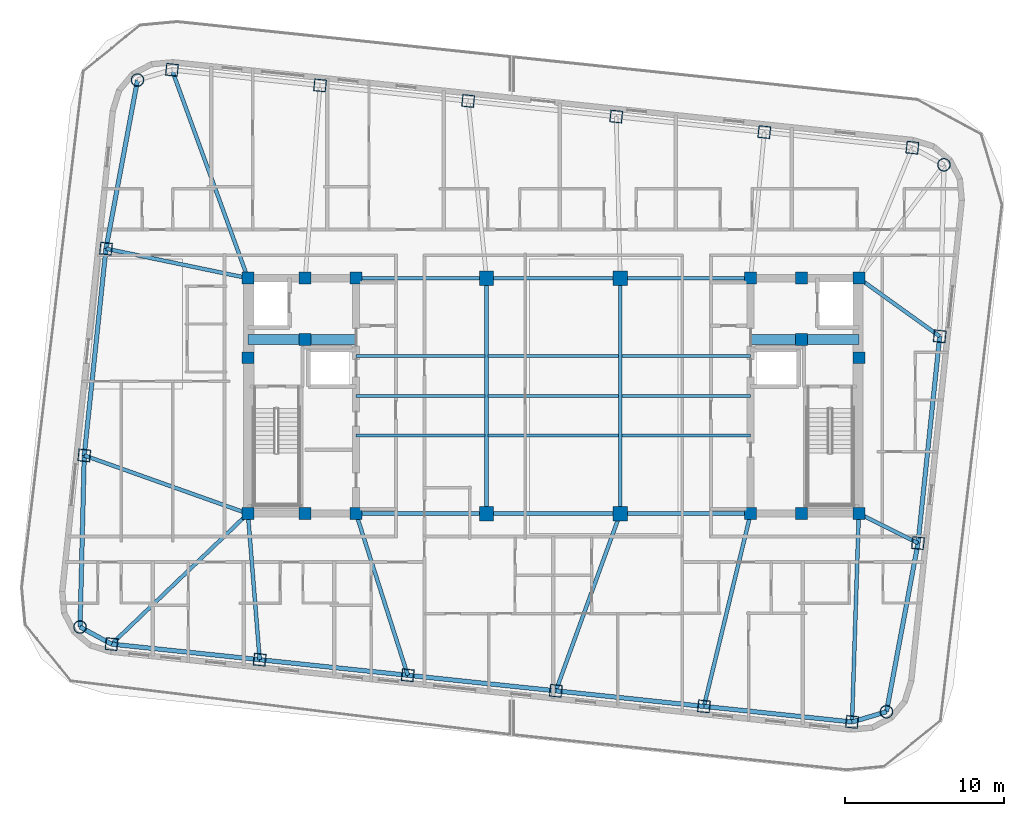
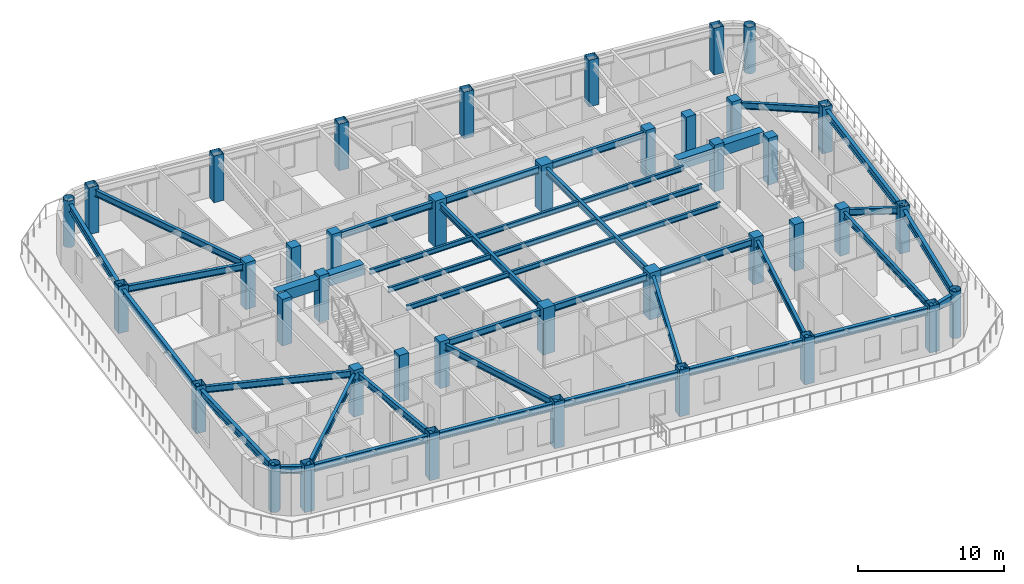
# One storey, part 1 of 14: 42 beams, 40 columns.
"""IFC4 building model written with IfcOpenShell, lengths in metres."""

from ifc_helpers import new_model, si_unit, direction, frame, origin, origin_2d, place, context, subcontext, project, spatial, rectangle, hollow_rectangle, hollow_circle, i_section, extrude, material, material_profile, profile_set, type_object, element, save


model = new_model("IFC4")

# Units and contexts
model_context = context("Model", 3, precision=1e-05, world=origin(), true_north=direction((0.0, 1.0)))
body_context = subcontext(model_context, "Body", "Model", "MODEL_VIEW")
ifc_project = project(units=[si_unit("LENGTHUNIT", "METRE"), si_unit("AREAUNIT", "SQUARE_METRE"), si_unit("VOLUMEUNIT", "CUBIC_METRE"), si_unit("PLANEANGLEUNIT", "RADIAN"), si_unit("MASSUNIT", "GRAM", prefix="KILO")], contexts=[model_context])

# Site, building, storey
site_placement = place(None, origin())
site = spatial("IfcSite", under=ifc_project, at=site_placement, CompositionType="ELEMENT")
building_placement = place(site_placement, origin())
building = spatial("IfcBuilding", under=site, at=building_placement, Name="Voryun Gate Residences", CompositionType="ELEMENT")
storey_placement = place(building_placement, frame((0.0, 0.0, 291.199951171875)))
storey = spatial("IfcBuildingStorey", under=building, at=storey_placement, Name="L72", CompositionType="ELEMENT", Elevation=291.199951171875)

# Columns
ifc_material_1 = material(Name="Concrete C50/60", Category="concrete")
ifc_material_profile_1 = material_profile(ifc_material_1, rectangle(XDim=0.75, YDim=0.75, at=origin_2d()), Name="RC-750x750")
ifc_profile_set_1 = profile_set([ifc_material_profile_1], Name="Concrete C50/60")
column_type_1 = type_object("IfcColumnType", Name="COL_CORE_750", PredefinedType="COLUMN", material=ifc_profile_set_1)
for number, where, z_axis, x_axis, name in (
    (1, (-19.199951171875, -7.39990234375, 0.0), (0.0, 0.0, 1.0), (1.0, 0.0, 0.0), "L72 Core boundary column WC-SW"),
    (2, (-19.199951171875, 2.39990234375, 0.0), (0.0, 0.0, 1.0), (1.0, 0.0, 0.0), "L72 Core boundary column WC-MW"),
    (3, (-19.199951171875, 7.39990234375, 0.0), (0.0, 0.0, 1.0), (1.0, 0.0, 0.0), "L72 Core boundary column WC-NW"),
    (4, (-15.60009765625, -7.39990234375, 0.0), (0.0, 0.0, 1.0), (1.0, 0.0, 0.0), "L72 Core boundary column WC-SM"),
    (5, (-15.60009765625, 7.39990234375, 0.0), (0.0, 0.0, 1.0), (1.0, 0.0, 0.0), "L72 Core boundary column WC-NM"),
    (6, (-12.39990234375, -7.39990234375, 0.0), (0.0, 0.0, 1.0), (1.0, 0.0, 0.0), "L72 Core boundary column WC-SE"),
    (7, (-15.60009765625, 3.550048828125, 0.0), (0.0, 0.0, 1.0), (1.0, 0.0, 0.0), "L72 Core boundary column WC-MM"),
    (8, (-12.39990234375, 7.39990234375, 0.0), (0.0, 0.0, 1.0), (1.0, 0.0, 0.0), "L72 Core boundary column WC-NE"),
    (9, (12.39990234375, -7.39990234375, 0.0), (0.0, 0.0, 1.0), (1.0, 0.0, 0.0), "L72 Core boundary column EC-SW"),
    (10, (15.60009765625, 3.550048828125, 0.0), (0.0, 0.0, 1.0), (1.0, 0.0, 0.0), "L72 Core boundary column EC-MM"),
    (11, (12.39990234375, 7.39990234375, 0.0), (0.0, 0.0, 1.0), (1.0, 0.0, 0.0), "L72 Core boundary column EC-NW"),
    (12, (15.60009765625, -7.39990234375, 0.0), (0.0, 0.0, 1.0), (1.0, 0.0, 0.0), "L72 Core boundary column EC-SM"),
    (13, (15.60009765625, 7.39990234375, 0.0), (0.0, 0.0, 1.0), (1.0, 0.0, 0.0), "L72 Core boundary column EC-NM"),
    (14, (19.199951171875, -7.39990234375, 0.0), (0.0, 0.0, 1.0), (1.0, 0.0, 0.0), "L72 Core boundary column EC-SE"),
    (15, (19.199951171875, 2.39990234375, 0.0), (0.0, 0.0, 1.0), (1.0, 0.0, 0.0), "L72 Core boundary column EC-ME"),
    (16, (19.199951171875, 7.39990234375, 0.0), (0.0, 0.0, 1.0), (1.0, 0.0, 0.0), "L72 Core boundary column EC-NE"),
):
    element("IfcColumn", number, at=place(storey_placement, frame(where, z_axis=z_axis, x_axis=x_axis)), inside=storey, type_object=column_type_1, Name=name, PredefinedType="COLUMN", context=body_context, shape_type="SweptSolid", body=[
        extrude(rectangle(XDim=0.75, YDim=0.75, at=origin_2d()), origin(), (0.0, 0.0, 1.0), 3.900146484375),
    ])
ifc_material_2 = material(Name="Concrete C50/60", Category="concrete")
ifc_material_profile_2 = material_profile(ifc_material_2, rectangle(XDim=0.89990234375, YDim=0.89990234375, at=origin_2d()), Name="RC-900x900")
ifc_profile_set_2 = profile_set([ifc_material_profile_2], Name="Concrete C50/60")
column_type_2 = type_object("IfcColumnType", Name="COL_CORE_900", PredefinedType="COLUMN", material=ifc_profile_set_2)
for number, where, z_axis, x_axis, name in (
    (17, (-4.199951171875, -7.39990234375, 0.0), (0.0, 0.0, 1.0), (1.0, 0.0, 0.0), "L72 Interior spine column SP-WS"),
    (18, (-4.199951171875, 7.39990234375, 0.0), (0.0, 0.0, 1.0), (1.0, 0.0, 0.0), "L72 Interior spine column SP-WN"),
    (19, (4.199951171875, -7.39990234375, 0.0), (0.0, 0.0, 1.0), (1.0, 0.0, 0.0), "L72 Interior spine column SP-ES"),
    (20, (4.199951171875, 7.39990234375, 0.0), (0.0, 0.0, 1.0), (1.0, 0.0, 0.0), "L72 Interior spine column SP-EN"),
):
    element("IfcColumn", number, at=place(storey_placement, frame(where, z_axis=z_axis, x_axis=x_axis)), inside=storey, type_object=column_type_2, Name=name, PredefinedType="COLUMN", context=body_context, shape_type="SweptSolid", body=[
        extrude(rectangle(XDim=0.89990234375, YDim=0.89990234375, at=origin_2d()), origin(), (0.0, 0.0, 1.0), 3.900146484375),
    ])
ifc_material_3 = material(Name="Steel SM355", Category="steel")
ifc_material_profile_3 = material_profile(ifc_material_3, hollow_circle(Radius=0.39990234375, WallThickness=0.028076171875, at=origin_2d()), Name="CHS-800x28")
ifc_profile_set_3 = profile_set([ifc_material_profile_3], Name="Steel SM355")
column_type_3 = type_object("IfcColumnType", Name="COL_CRN_800", PredefinedType="COLUMN", material=ifc_profile_set_3)
for number, where, z_axis, x_axis, name in (
    (21, (20.939453125, -19.855224609375, 0.0), (0.0, 0.0, 1.0), (0.994521895368, -0.104528463268, 0.0), "L72 Exoskeleton column CSE"),
    (22, (24.55322265625, 14.52734375, 0.0), (0.0, 0.0, 1.0), (0.994521895368, -0.104528463268, 0.0), "L72 Exoskeleton column CNE"),
    (23, (-26.139404296875, 19.855224609375, 0.0), (0.0, 0.0, 1.0), (0.994521895368, -0.104528463268, 0.0), "L72 Exoskeleton column CNW"),
    (24, (-29.753173828125, -14.52734375, 0.0), (0.0, 0.0, 1.0), (0.994521895368, -0.104528463268, 0.0), "L72 Exoskeleton column CSW"),
):
    element("IfcColumn", number, at=place(storey_placement, frame(where, z_axis=z_axis, x_axis=x_axis)), inside=storey, type_object=column_type_3, Name=name, PredefinedType="COLUMN", context=body_context, shape_type="SweptSolid", body=[
        extrude(hollow_circle(Radius=0.39990234375, WallThickness=0.028076171875, at=origin_2d()), origin(), (0.0, 0.0, 1.0), 3.900146484375),
    ])
ifc_material_4 = material(Name="Steel SM355", Category="steel")
ifc_material_profile_4 = material_profile(ifc_material_4, hollow_rectangle(XDim=0.75, YDim=0.75, WallThickness=0.02490234375, at=origin_2d()), Name="BOX-750x750x25")
ifc_profile_set_4 = profile_set([ifc_material_profile_4], Name="Steel SM355")
column_type_4 = type_object("IfcColumnType", Name="COL_EXO_B5", PredefinedType="COLUMN", material=ifc_profile_set_4)
for number, where, z_axis, x_axis, name in (
    (25, (-27.76904296875, -15.6044921875, 0.0), (0.0, 0.0, 1.0), (0.994521895368, -0.104528463268, 0.0), "L72 Exoskeleton column S1"),
    (26, (-18.460205078125, -16.5830078125, 0.0), (0.0, 0.0, 1.0), (0.994521895368, -0.104528463268, 0.0), "L72 Exoskeleton column S2"),
    (27, (-9.151611328125, -17.561279296875, 0.0), (0.0, 0.0, 1.0), (0.994521895368, -0.104528463268, 0.0), "L72 Exoskeleton column S3"),
    (28, (0.1572265625, -18.539794921875, 0.0), (0.0, 0.0, 1.0), (0.994521895368, -0.104528463268, 0.0), "L72 Exoskeleton column S4"),
    (29, (9.4658203125, -19.51806640625, 0.0), (0.0, 0.0, 1.0), (0.994521895368, -0.104528463268, 0.0), "L72 Exoskeleton column S5"),
    (30, (18.774658203125, -20.49658203125, 0.0), (0.0, 0.0, 1.0), (0.994521895368, -0.104528463268, 0.0), "L72 Exoskeleton column S6"),
    (31, (22.922607421875, -9.25244140625, 0.0), (0.0, 0.0, 1.0), (0.994521895368, -0.104528463268, 0.0), "L72 Exoskeleton column E1"),
    (32, (24.28857421875, 3.743896484375, 0.0), (0.0, 0.0, 1.0), (0.994521895368, -0.104528463268, 0.0), "L72 Exoskeleton column E2"),
    (33, (22.569091796875, 15.6044921875, 0.0), (0.0, 0.0, 1.0), (0.994521895368, -0.104528463268, 0.0), "L72 Exoskeleton column N1"),
    (34, (13.26025390625, 16.5830078125, 0.0), (0.0, 0.0, 1.0), (0.994521895368, -0.104528463268, 0.0), "L72 Exoskeleton column N2"),
    (35, (3.95166015625, 17.561279296875, 0.0), (0.0, 0.0, 1.0), (0.994521895368, -0.104528463268, 0.0), "L72 Exoskeleton column N3"),
    (36, (-5.357177734375, 18.539794921875, 0.0), (0.0, 0.0, 1.0), (0.994521895368, -0.104528463268, 0.0), "L72 Exoskeleton column N4"),
    (37, (-14.666015625, 19.51806640625, 0.0), (0.0, 0.0, 1.0), (0.994521895368, -0.104528463268, 0.0), "L72 Exoskeleton column N5"),
    (38, (-23.974609375, 20.49658203125, 0.0), (0.0, 0.0, 1.0), (0.994521895368, -0.104528463268, 0.0), "L72 Exoskeleton column N6"),
    (39, (-28.12255859375, 9.25244140625, 0.0), (0.0, 0.0, 1.0), (0.994521895368, -0.104528463268, 0.0), "L72 Exoskeleton column W1"),
    (40, (-29.488525390625, -3.743896484375, 0.0), (0.0, 0.0, 1.0), (0.994521895368, -0.104528463268, 0.0), "L72 Exoskeleton column W2"),
):
    element("IfcColumn", number, at=place(storey_placement, frame(where, z_axis=z_axis, x_axis=x_axis)), inside=storey, type_object=column_type_4, Name=name, PredefinedType="COLUMN", context=body_context, shape_type="SweptSolid", body=[
        extrude(hollow_rectangle(XDim=0.75, YDim=0.75, WallThickness=0.02490234375, at=origin_2d()), origin(), (0.0, 0.0, 1.0), 3.900146484375),
    ])

# Beams
ifc_material_5 = material(Name="Concrete C60/75", Category="concrete")
ifc_material_profile_5 = material_profile(ifc_material_5, rectangle(XDim=0.64990234375, YDim=0.89990234375, at=origin_2d()), Name="RC-650x900")
ifc_profile_set_5 = profile_set([ifc_material_profile_5], Name="Concrete C60/75")
beam_type_1 = type_object("IfcBeamType", Name="BM_COUP_RC900", PredefinedType="LINTEL", material=ifc_profile_set_5)
for number, where, z_axis, x_axis, name in (
    (41, (-19.199951171875, 3.550048828125, 3.18505859375), (1.0, 0.0, 0.0), (0.0, 1.0, 0.0), "BM-L72-WC1"),
    (42, (12.39990234375, 3.550048828125, 3.18505859375), (1.0, 0.0, 0.0), (0.0, 1.0, 0.0), "BM-L72-EC1"),
):
    element("IfcBeam", number, at=place(storey_placement, frame(where, z_axis=z_axis, x_axis=x_axis)), inside=storey, type_object=beam_type_1, Name=name, PredefinedType="LINTEL", context=body_context, shape_type="SweptSolid", body=[
        extrude(rectangle(XDim=0.64990234375, YDim=0.89990234375, at=origin_2d()), origin(), (0.0, 0.0, 1.0), 6.800048828125),
    ])
ifc_material_6 = material(Name="Steel SM355", Category="steel")
ifc_material_profile_6 = material_profile(ifc_material_6, i_section(OverallWidth=0.280029296875, OverallDepth=0.6201171875, WebThickness=0.013916015625, FlangeThickness=0.02197265625, FilletRadius=0.01806640625, at=origin_2d()), Name="H-620x280x14x22")
ifc_profile_set_6 = profile_set([ifc_material_profile_6], Name="Steel SM355")
beam_type_2 = type_object("IfcBeamType", Name="BM_EXO_SPANDREL_H", PredefinedType="SPANDREL", material=ifc_profile_set_6)
beam_1_placement = place(storey_placement, frame((-27.76904296875, -15.6044921875, 3.324951171875), z_axis=(0.994520592114, -0.104540862157, 0.0), x_axis=(0.104540862157, 0.994520592114, 0.0)))
element("IfcBeam", 43, at=beam_1_placement, inside=storey, type_object=beam_type_2, Name="BM-L72-SPAND-01", PredefinedType="SPANDREL", context=body_context, shape_type="SweptSolid", body=[
    extrude(i_section(OverallWidth=0.280029296875, OverallDepth=0.6201171875, WebThickness=0.013916015625, FlangeThickness=0.02197265625, FilletRadius=0.01806640625, at=origin_2d()), origin(), (0.0, 0.0, 1.0), 9.360107421875),
])
beam_2_placement = place(storey_placement, frame((-18.460205078125, -16.5830078125, 3.324951171875), z_axis=(0.994523018663, -0.104517775278, 0.0), x_axis=(0.104517775278, 0.994523018663, 0.0)))
element("IfcBeam", 44, at=beam_2_placement, inside=storey, type_object=beam_type_2, Name="BM-L72-SPAND-02", PredefinedType="SPANDREL", context=body_context, shape_type="SweptSolid", body=[
    extrude(i_section(OverallWidth=0.280029296875, OverallDepth=0.6201171875, WebThickness=0.013916015625, FlangeThickness=0.02197265625, FilletRadius=0.01806640625, at=origin_2d()), origin(), (0.0, 0.0, 1.0), 9.35986328125),
])
beam_3_placement = place(storey_placement, frame((-9.151611328125, -17.561279296875, 3.324951171875), z_axis=(0.994520592114, -0.104540862157, 0.0), x_axis=(0.104540862157, 0.994520592114, 0.0)))
element("IfcBeam", 45, at=beam_3_placement, inside=storey, type_object=beam_type_2, Name="BM-L72-SPAND-03", PredefinedType="SPANDREL", context=body_context, shape_type="SweptSolid", body=[
    extrude(i_section(OverallWidth=0.280029296875, OverallDepth=0.6201171875, WebThickness=0.013916015625, FlangeThickness=0.02197265625, FilletRadius=0.01806640625, at=origin_2d()), origin(), (0.0, 0.0, 1.0), 9.360107421875),
])
beam_4_placement = place(storey_placement, frame((0.1572265625, -18.539794921875, 3.324951171875), z_axis=(0.994523018663, -0.104517775278, 0.0), x_axis=(0.104517775278, 0.994523018663, 0.0)))
element("IfcBeam", 46, at=beam_4_placement, inside=storey, type_object=beam_type_2, Name="BM-L72-SPAND-04", PredefinedType="SPANDREL", context=body_context, shape_type="SweptSolid", body=[
    extrude(i_section(OverallWidth=0.280029296875, OverallDepth=0.6201171875, WebThickness=0.013916015625, FlangeThickness=0.02197265625, FilletRadius=0.01806640625, at=origin_2d()), origin(), (0.0, 0.0, 1.0), 9.35986328125),
])
beam_5_placement = place(storey_placement, frame((9.4658203125, -19.51806640625, 3.324951171875), z_axis=(0.994520592114, -0.104540862157, 0.0), x_axis=(0.104540862157, 0.994520592114, 0.0)))
element("IfcBeam", 47, at=beam_5_placement, inside=storey, type_object=beam_type_2, Name="BM-L72-SPAND-05", PredefinedType="SPANDREL", context=body_context, shape_type="SweptSolid", body=[
    extrude(i_section(OverallWidth=0.280029296875, OverallDepth=0.6201171875, WebThickness=0.013916015625, FlangeThickness=0.02197265625, FilletRadius=0.01806640625, at=origin_2d()), origin(), (0.0, 0.0, 1.0), 9.360107421875),
])
beam_6_placement = place(storey_placement, frame((18.774658203125, -20.49658203125, 3.324951171875), z_axis=(0.958805748412, 0.28406255792, 0.0), x_axis=(-0.28406255792, 0.958805748412, 0.0)))
element("IfcBeam", 48, at=beam_6_placement, inside=storey, type_object=beam_type_2, Name="BM-L72-SPAND-06", PredefinedType="SPANDREL", context=body_context, shape_type="SweptSolid", body=[
    extrude(i_section(OverallWidth=0.280029296875, OverallDepth=0.6201171875, WebThickness=0.013916015625, FlangeThickness=0.02197265625, FilletRadius=0.01806640625, at=origin_2d()), origin(), (0.0, 0.0, 1.0), 2.2578125),
])
beam_7_placement = place(storey_placement, frame((20.939453125, -19.855224609375, 3.324951171875), z_axis=(0.183852585596, 0.982953827384, 0.0), x_axis=(-0.982953827384, 0.183852585596, 0.0)))
element("IfcBeam", 49, at=beam_7_placement, inside=storey, type_object=beam_type_2, Name="BM-L72-SPAND-07", PredefinedType="SPANDREL", context=body_context, shape_type="SweptSolid", body=[
    extrude(i_section(OverallWidth=0.280029296875, OverallDepth=0.6201171875, WebThickness=0.013916015625, FlangeThickness=0.02197265625, FilletRadius=0.01806640625, at=origin_2d()), origin(), (0.0, 0.0, 1.0), 10.78662109375),
])
beam_8_placement = place(storey_placement, frame((22.922607421875, -9.25244140625, 3.324951171875), z_axis=(0.104528209082, 0.994521922084, 0.0), x_axis=(-0.994521922084, 0.104528209082, 0.0)))
element("IfcBeam", 50, at=beam_8_placement, inside=storey, type_object=beam_type_2, Name="BM-L72-SPAND-08", PredefinedType="SPANDREL", context=body_context, shape_type="SweptSolid", body=[
    extrude(i_section(OverallWidth=0.280029296875, OverallDepth=0.6201171875, WebThickness=0.013916015625, FlangeThickness=0.02197265625, FilletRadius=0.01806640625, at=origin_2d()), origin(), (0.0, 0.0, 1.0), 13.06787109375),
])
beam_9_placement = place(storey_placement, frame((-26.139404296875, 19.855224609375, 3.324951171875), z_axis=(-0.183852585596, -0.982953827384, 0.0), x_axis=(0.982953827384, -0.183852585596, 0.0)))
element("IfcBeam", 51, at=beam_9_placement, inside=storey, type_object=beam_type_2, Name="BM-L72-SPAND-17", PredefinedType="SPANDREL", context=body_context, shape_type="SweptSolid", body=[
    extrude(i_section(OverallWidth=0.280029296875, OverallDepth=0.6201171875, WebThickness=0.013916015625, FlangeThickness=0.02197265625, FilletRadius=0.01806640625, at=origin_2d()), origin(), (0.0, 0.0, 1.0), 10.78662109375),
])
beam_10_placement = place(storey_placement, frame((-28.12255859375, 9.25244140625, 3.324951171875), z_axis=(-0.104528209082, -0.994521922084, 0.0), x_axis=(0.994521922084, -0.104528209082, 0.0)))
element("IfcBeam", 52, at=beam_10_placement, inside=storey, type_object=beam_type_2, Name="BM-L72-SPAND-18", PredefinedType="SPANDREL", context=body_context, shape_type="SweptSolid", body=[
    extrude(i_section(OverallWidth=0.280029296875, OverallDepth=0.6201171875, WebThickness=0.013916015625, FlangeThickness=0.02197265625, FilletRadius=0.01806640625, at=origin_2d()), origin(), (0.0, 0.0, 1.0), 13.06787109375),
])
beam_11_placement = place(storey_placement, frame((-29.488525390625, -3.743896484375, 3.324951171875), z_axis=(-0.024534711967, -0.999698978647, 0.0), x_axis=(0.999698978647, -0.024534711967, 0.0)))
element("IfcBeam", 53, at=beam_11_placement, inside=storey, type_object=beam_type_2, Name="BM-L72-SPAND-19", PredefinedType="SPANDREL", context=body_context, shape_type="SweptSolid", body=[
    extrude(i_section(OverallWidth=0.280029296875, OverallDepth=0.6201171875, WebThickness=0.013916015625, FlangeThickness=0.02197265625, FilletRadius=0.01806640625, at=origin_2d()), origin(), (0.0, 0.0, 1.0), 10.78662109375),
])
beam_12_placement = place(storey_placement, frame((-29.753173828125, -14.52734375, 3.324951171875), z_axis=(0.878844363117, -0.477108567746, 0.0), x_axis=(0.477108567746, 0.878844363117, 0.0)))
element("IfcBeam", 54, at=beam_12_placement, inside=storey, type_object=beam_type_2, Name="BM-L72-SPAND-20", PredefinedType="SPANDREL", context=body_context, shape_type="SweptSolid", body=[
    extrude(i_section(OverallWidth=0.280029296875, OverallDepth=0.6201171875, WebThickness=0.013916015625, FlangeThickness=0.02197265625, FilletRadius=0.01806640625, at=origin_2d()), origin(), (0.0, 0.0, 1.0), 2.257568359375),
])
ifc_material_7 = material(Name="Steel SM355", Category="steel")
ifc_material_profile_7 = material_profile(ifc_material_7, i_section(OverallWidth=0.239990234375, OverallDepth=0.550048828125, WebThickness=0.011962890625, FlangeThickness=0.02001953125, FilletRadius=0.01806640625, at=origin_2d()), Name="H-550x240x12x20")
ifc_profile_set_7 = profile_set([ifc_material_profile_7], Name="Steel SM355")
beam_type_3 = type_object("IfcBeamType", Name="BM_GIRD_550", PredefinedType="USERDEFINED", material=ifc_profile_set_7)
beam_13_placement = place(storey_placement, frame((-12.39990234375, -7.39990234375, 3.360107421875), z_axis=(1.0, 0.0, 0.0), x_axis=(0.0, 1.0, 0.0)))
element("IfcBeam", 55, at=beam_13_placement, inside=storey, type_object=beam_type_3, Name="BM-L72-SPG1-S", ObjectType="GIRDER", PredefinedType="USERDEFINED", context=body_context, shape_type="SweptSolid", body=[
    extrude(i_section(OverallWidth=0.239990234375, OverallDepth=0.550048828125, WebThickness=0.011962890625, FlangeThickness=0.02001953125, FilletRadius=0.01806640625, at=origin_2d()), origin(), (0.0, 0.0, 1.0), 8.199951171875),
])
beam_14_placement = place(storey_placement, frame((-4.199951171875, -7.39990234375, 3.360107421875), z_axis=(1.0, 0.0, 0.0), x_axis=(0.0, 1.0, 0.0)))
element("IfcBeam", 56, at=beam_14_placement, inside=storey, type_object=beam_type_3, Name="BM-L72-SPG2-S", ObjectType="GIRDER", PredefinedType="USERDEFINED", context=body_context, shape_type="SweptSolid", body=[
    extrude(i_section(OverallWidth=0.239990234375, OverallDepth=0.550048828125, WebThickness=0.011962890625, FlangeThickness=0.02001953125, FilletRadius=0.01806640625, at=origin_2d()), origin(), (0.0, 0.0, 1.0), 8.39990234375),
])
for number, where, z_axis, x_axis, name in (
    (57, (4.199951171875, -7.39990234375, 3.360107421875), (1.0, 0.0, 0.0), (0.0, 1.0, 0.0), "BM-L72-SPG3-S"),
    (58, (-12.39990234375, 7.39990234375, 3.360107421875), (1.0, 0.0, 0.0), (0.0, 1.0, 0.0), "BM-L72-SPG1-N"),
):
    element("IfcBeam", number, at=place(storey_placement, frame(where, z_axis=z_axis, x_axis=x_axis)), inside=storey, type_object=beam_type_3, Name=name, ObjectType="GIRDER", PredefinedType="USERDEFINED", context=body_context, shape_type="SweptSolid", body=[
        extrude(i_section(OverallWidth=0.239990234375, OverallDepth=0.550048828125, WebThickness=0.011962890625, FlangeThickness=0.02001953125, FilletRadius=0.01806640625, at=origin_2d()), origin(), (0.0, 0.0, 1.0), 8.199951171875),
    ])
beam_15_placement = place(storey_placement, frame((-4.199951171875, 7.39990234375, 3.360107421875), z_axis=(1.0, 0.0, 0.0), x_axis=(0.0, 1.0, 0.0)))
element("IfcBeam", 59, at=beam_15_placement, inside=storey, type_object=beam_type_3, Name="BM-L72-SPG2-N", ObjectType="GIRDER", PredefinedType="USERDEFINED", context=body_context, shape_type="SweptSolid", body=[
    extrude(i_section(OverallWidth=0.239990234375, OverallDepth=0.550048828125, WebThickness=0.011962890625, FlangeThickness=0.02001953125, FilletRadius=0.01806640625, at=origin_2d()), origin(), (0.0, 0.0, 1.0), 8.39990234375),
])
beam_16_placement = place(storey_placement, frame((4.199951171875, 7.39990234375, 3.360107421875), z_axis=(1.0, 0.0, 0.0), x_axis=(0.0, 1.0, 0.0)))
element("IfcBeam", 60, at=beam_16_placement, inside=storey, type_object=beam_type_3, Name="BM-L72-SPG3-N", ObjectType="GIRDER", PredefinedType="USERDEFINED", context=body_context, shape_type="SweptSolid", body=[
    extrude(i_section(OverallWidth=0.239990234375, OverallDepth=0.550048828125, WebThickness=0.011962890625, FlangeThickness=0.02001953125, FilletRadius=0.01806640625, at=origin_2d()), origin(), (0.0, 0.0, 1.0), 8.199951171875),
])
for number, where, z_axis, x_axis, name in (
    (61, (-4.199951171875, -7.39990234375, 3.360107421875), (0.0, 1.0, 0.0), (-1.0, 0.0, 0.0), "BM-L72-SPX-W"),
    (62, (4.199951171875, -7.39990234375, 3.360107421875), (0.0, 1.0, 0.0), (-1.0, 0.0, 0.0), "BM-L72-SPX-E"),
):
    element("IfcBeam", number, at=place(storey_placement, frame(where, z_axis=z_axis, x_axis=x_axis)), inside=storey, type_object=beam_type_3, Name=name, ObjectType="GIRDER", PredefinedType="USERDEFINED", context=body_context, shape_type="SweptSolid", body=[
        extrude(i_section(OverallWidth=0.239990234375, OverallDepth=0.550048828125, WebThickness=0.011962890625, FlangeThickness=0.02001953125, FilletRadius=0.01806640625, at=origin_2d()), origin(), (0.0, 0.0, 1.0), 14.7998046875),
    ])
beam_17_placement = place(storey_placement, frame((-19.199951171875, -7.39990234375, 3.360107421875), z_axis=(-0.722302104769, -0.691577666966, 0.0), x_axis=(0.691577666966, -0.722302104769, 0.0)))
element("IfcBeam", 63, at=beam_17_placement, inside=storey, type_object=beam_type_3, Name="BM-L72-RAD-S1", ObjectType="GIRDER", PredefinedType="USERDEFINED", context=body_context, shape_type="SweptSolid", body=[
    extrude(i_section(OverallWidth=0.239990234375, OverallDepth=0.550048828125, WebThickness=0.011962890625, FlangeThickness=0.02001953125, FilletRadius=0.01806640625, at=origin_2d()), origin(), (0.0, 0.0, 1.0), 11.863525390625),
])
beam_18_placement = place(storey_placement, frame((-19.199951171875, -7.39990234375, 3.360107421875), z_axis=(0.080295011504, -0.996771142804, 0.0), x_axis=(0.996771142804, 0.080295011504, 0.0)))
element("IfcBeam", 64, at=beam_18_placement, inside=storey, type_object=beam_type_3, Name="BM-L72-RAD-S2", ObjectType="GIRDER", PredefinedType="USERDEFINED", context=body_context, shape_type="SweptSolid", body=[
    extrude(i_section(OverallWidth=0.239990234375, OverallDepth=0.550048828125, WebThickness=0.011962890625, FlangeThickness=0.02001953125, FilletRadius=0.01806640625, at=origin_2d()), origin(), (0.0, 0.0, 1.0), 9.212890625),
])
beam_19_placement = place(storey_placement, frame((-12.39990234375, -7.39990234375, 3.360107421875), z_axis=(0.30449089095, -0.952515247819, 0.0), x_axis=(0.952515247819, 0.30449089095, 0.0)))
element("IfcBeam", 65, at=beam_19_placement, inside=storey, type_object=beam_type_3, Name="BM-L72-RAD-S3", ObjectType="GIRDER", PredefinedType="USERDEFINED", context=body_context, shape_type="SweptSolid", body=[
    extrude(i_section(OverallWidth=0.239990234375, OverallDepth=0.550048828125, WebThickness=0.011962890625, FlangeThickness=0.02001953125, FilletRadius=0.01806640625, at=origin_2d()), origin(), (0.0, 0.0, 1.0), 10.66796875),
])
beam_20_placement = place(storey_placement, frame((4.199951171875, -7.39990234375, 3.360107421875), z_axis=(-0.341135931896, -0.940013976476, 0.0), x_axis=(0.940013976476, -0.341135931896, 0.0)))
element("IfcBeam", 66, at=beam_20_placement, inside=storey, type_object=beam_type_3, Name="BM-L72-RAD-S4", ObjectType="GIRDER", PredefinedType="USERDEFINED", context=body_context, shape_type="SweptSolid", body=[
    extrude(i_section(OverallWidth=0.239990234375, OverallDepth=0.550048828125, WebThickness=0.011962890625, FlangeThickness=0.02001953125, FilletRadius=0.01806640625, at=origin_2d()), origin(), (0.0, 0.0, 1.0), 11.850830078125),
])
beam_21_placement = place(storey_placement, frame((12.39990234375, -7.39990234375, 3.360107421875), z_axis=(-0.235323166357, -0.971917181336, 0.0), x_axis=(0.971917181336, -0.235323166357, 0.0)))
element("IfcBeam", 67, at=beam_21_placement, inside=storey, type_object=beam_type_3, Name="BM-L72-RAD-S5", ObjectType="GIRDER", PredefinedType="USERDEFINED", context=body_context, shape_type="SweptSolid", body=[
    extrude(i_section(OverallWidth=0.239990234375, OverallDepth=0.550048828125, WebThickness=0.011962890625, FlangeThickness=0.02001953125, FilletRadius=0.01806640625, at=origin_2d()), origin(), (0.0, 0.0, 1.0), 12.46826171875),
])
beam_22_placement = place(storey_placement, frame((19.199951171875, -7.39990234375, 3.360107421875), z_axis=(-0.032456234446, -0.999473157641, 0.0), x_axis=(0.999473157641, -0.032456234446, 0.0)))
element("IfcBeam", 68, at=beam_22_placement, inside=storey, type_object=beam_type_3, Name="BM-L72-RAD-S6", ObjectType="GIRDER", PredefinedType="USERDEFINED", context=body_context, shape_type="SweptSolid", body=[
    extrude(i_section(OverallWidth=0.239990234375, OverallDepth=0.550048828125, WebThickness=0.011962890625, FlangeThickness=0.02001953125, FilletRadius=0.01806640625, at=origin_2d()), origin(), (0.0, 0.0, 1.0), 13.103515625),
])
beam_23_placement = place(storey_placement, frame((19.199951171875, -7.39990234375, 3.360107421875), z_axis=(0.895271074172, -0.445521833081, 0.0), x_axis=(0.445521833081, 0.895271074172, 0.0)))
element("IfcBeam", 69, at=beam_23_placement, inside=storey, type_object=beam_type_3, Name="BM-L72-RAD-E1", ObjectType="GIRDER", PredefinedType="USERDEFINED", context=body_context, shape_type="SweptSolid", body=[
    extrude(i_section(OverallWidth=0.239990234375, OverallDepth=0.550048828125, WebThickness=0.011962890625, FlangeThickness=0.02001953125, FilletRadius=0.01806640625, at=origin_2d()), origin(), (0.0, 0.0, 1.0), 4.158203125),
])
beam_24_placement = place(storey_placement, frame((19.199951171875, 7.39990234375, 3.360107421875), z_axis=(0.81212442094, -0.583484297058, 0.0), x_axis=(0.583484297058, 0.81212442094, 0.0)))
element("IfcBeam", 70, at=beam_24_placement, inside=storey, type_object=beam_type_3, Name="BM-L72-RAD-E2", ObjectType="GIRDER", PredefinedType="USERDEFINED", context=body_context, shape_type="SweptSolid", body=[
    extrude(i_section(OverallWidth=0.239990234375, OverallDepth=0.550048828125, WebThickness=0.011962890625, FlangeThickness=0.02001953125, FilletRadius=0.01806640625, at=origin_2d()), origin(), (0.0, 0.0, 1.0), 6.265869140625),
])
beam_25_placement = place(storey_placement, frame((-19.199951171875, 7.39990234375, 3.360107421875), z_axis=(-0.342517773666, 0.939511348906, 0.0), x_axis=(-0.939511348906, -0.342517773666, 0.0)))
element("IfcBeam", 71, at=beam_25_placement, inside=storey, type_object=beam_type_3, Name="BM-L72-RAD-N6", ObjectType="GIRDER", PredefinedType="USERDEFINED", context=body_context, shape_type="SweptSolid", body=[
    extrude(i_section(OverallWidth=0.239990234375, OverallDepth=0.550048828125, WebThickness=0.011962890625, FlangeThickness=0.02001953125, FilletRadius=0.01806640625, at=origin_2d()), origin(), (0.0, 0.0, 1.0), 13.93994140625),
])
beam_26_placement = place(storey_placement, frame((-19.199951171875, 7.39990234375, 3.360107421875), z_axis=(-0.979119049711, 0.203287693907, 0.0), x_axis=(-0.203287693907, -0.979119049711, 0.0)))
element("IfcBeam", 72, at=beam_26_placement, inside=storey, type_object=beam_type_3, Name="BM-L72-RAD-W1", ObjectType="GIRDER", PredefinedType="USERDEFINED", context=body_context, shape_type="SweptSolid", body=[
    extrude(i_section(OverallWidth=0.239990234375, OverallDepth=0.550048828125, WebThickness=0.011962890625, FlangeThickness=0.02001953125, FilletRadius=0.01806640625, at=origin_2d()), origin(), (0.0, 0.0, 1.0), 9.11279296875),
])
beam_27_placement = place(storey_placement, frame((-19.199951171875, -7.39990234375, 3.360107421875), z_axis=(-0.942276939669, 0.334834539688, 0.0), x_axis=(-0.334834539688, -0.942276939669, 0.0)))
element("IfcBeam", 73, at=beam_27_placement, inside=storey, type_object=beam_type_3, Name="BM-L72-RAD-W2", ObjectType="GIRDER", PredefinedType="USERDEFINED", context=body_context, shape_type="SweptSolid", body=[
    extrude(i_section(OverallWidth=0.239990234375, OverallDepth=0.550048828125, WebThickness=0.011962890625, FlangeThickness=0.02001953125, FilletRadius=0.01806640625, at=origin_2d()), origin(), (0.0, 0.0, 1.0), 10.9189453125),
])
ifc_material_8 = material(Name="Steel SM355", Category="steel")
ifc_material_profile_8 = material_profile(ifc_material_8, i_section(OverallWidth=0.18994140625, OverallDepth=0.419921875, WebThickness=0.009033203125, FlangeThickness=0.01611328125, FilletRadius=0.01806640625, at=origin_2d()), Name="H-420x190x9x16")
ifc_profile_set_8 = profile_set([ifc_material_profile_8], Name="Steel SM355")
beam_type_4 = type_object("IfcBeamType", Name="BM_SEC_420", PredefinedType="BEAM", material=ifc_profile_set_8)
beam_28_placement = place(storey_placement, frame((-12.39990234375, -2.5, 3.425048828125), z_axis=(1.0, 0.0, 0.0), x_axis=(0.0, 1.0, 0.0)))
element("IfcBeam", 74, at=beam_28_placement, inside=storey, type_object=beam_type_4, Name="BM-L72-SEC-CS1", PredefinedType="BEAM", context=body_context, shape_type="SweptSolid", body=[
    extrude(i_section(OverallWidth=0.18994140625, OverallDepth=0.419921875, WebThickness=0.009033203125, FlangeThickness=0.01611328125, FilletRadius=0.01806640625, at=origin_2d()), origin(), (0.0, 0.0, 1.0), 8.099853515625),
])
beam_29_placement = place(storey_placement, frame((-4.10009765625, -2.5, 3.425048828125), z_axis=(1.0, 0.0, 0.0), x_axis=(0.0, 1.0, 0.0)))
element("IfcBeam", 75, at=beam_29_placement, inside=storey, type_object=beam_type_4, Name="BM-L72-SEC-CS2", PredefinedType="BEAM", context=body_context, shape_type="SweptSolid", body=[
    extrude(i_section(OverallWidth=0.18994140625, OverallDepth=0.419921875, WebThickness=0.009033203125, FlangeThickness=0.01611328125, FilletRadius=0.01806640625, at=origin_2d()), origin(), (0.0, 0.0, 1.0), 8.2001953125),
])
for number, where, z_axis, x_axis, name in (
    (76, (4.300048828125, -2.5, 3.425048828125), (1.0, 0.0, 0.0), (0.0, 1.0, 0.0), "BM-L72-SEC-CS3"),
    (77, (-12.39990234375, 0.0, 3.425048828125), (1.0, 0.0, 0.0), (0.0, 1.0, 0.0), "BM-L72-SEC-CM1"),
):
    element("IfcBeam", number, at=place(storey_placement, frame(where, z_axis=z_axis, x_axis=x_axis)), inside=storey, type_object=beam_type_4, Name=name, PredefinedType="BEAM", context=body_context, shape_type="SweptSolid", body=[
        extrude(i_section(OverallWidth=0.18994140625, OverallDepth=0.419921875, WebThickness=0.009033203125, FlangeThickness=0.01611328125, FilletRadius=0.01806640625, at=origin_2d()), origin(), (0.0, 0.0, 1.0), 8.099853515625),
    ])
beam_30_placement = place(storey_placement, frame((-4.10009765625, 0.0, 3.425048828125), z_axis=(1.0, 0.0, 0.0), x_axis=(0.0, 1.0, 0.0)))
element("IfcBeam", 78, at=beam_30_placement, inside=storey, type_object=beam_type_4, Name="BM-L72-SEC-CM2", PredefinedType="BEAM", context=body_context, shape_type="SweptSolid", body=[
    extrude(i_section(OverallWidth=0.18994140625, OverallDepth=0.419921875, WebThickness=0.009033203125, FlangeThickness=0.01611328125, FilletRadius=0.01806640625, at=origin_2d()), origin(), (0.0, 0.0, 1.0), 8.2001953125),
])
for number, where, z_axis, x_axis, name in (
    (79, (4.300048828125, 0.0, 3.425048828125), (1.0, 0.0, 0.0), (0.0, 1.0, 0.0), "BM-L72-SEC-CM3"),
    (80, (-12.39990234375, 2.5, 3.425048828125), (1.0, 0.0, 0.0), (0.0, 1.0, 0.0), "BM-L72-SEC-CN1"),
):
    element("IfcBeam", number, at=place(storey_placement, frame(where, z_axis=z_axis, x_axis=x_axis)), inside=storey, type_object=beam_type_4, Name=name, PredefinedType="BEAM", context=body_context, shape_type="SweptSolid", body=[
        extrude(i_section(OverallWidth=0.18994140625, OverallDepth=0.419921875, WebThickness=0.009033203125, FlangeThickness=0.01611328125, FilletRadius=0.01806640625, at=origin_2d()), origin(), (0.0, 0.0, 1.0), 8.099853515625),
    ])
beam_31_placement = place(storey_placement, frame((-4.10009765625, 2.5, 3.425048828125), z_axis=(1.0, 0.0, 0.0), x_axis=(0.0, 1.0, 0.0)))
element("IfcBeam", 81, at=beam_31_placement, inside=storey, type_object=beam_type_4, Name="BM-L72-SEC-CN2", PredefinedType="BEAM", context=body_context, shape_type="SweptSolid", body=[
    extrude(i_section(OverallWidth=0.18994140625, OverallDepth=0.419921875, WebThickness=0.009033203125, FlangeThickness=0.01611328125, FilletRadius=0.01806640625, at=origin_2d()), origin(), (0.0, 0.0, 1.0), 8.2001953125),
])
beam_32_placement = place(storey_placement, frame((4.300048828125, 2.5, 3.425048828125), z_axis=(1.0, 0.0, 0.0), x_axis=(0.0, 1.0, 0.0)))
element("IfcBeam", 82, at=beam_32_placement, inside=storey, type_object=beam_type_4, Name="BM-L72-SEC-CN3", PredefinedType="BEAM", context=body_context, shape_type="SweptSolid", body=[
    extrude(i_section(OverallWidth=0.18994140625, OverallDepth=0.419921875, WebThickness=0.009033203125, FlangeThickness=0.01611328125, FilletRadius=0.01806640625, at=origin_2d()), origin(), (0.0, 0.0, 1.0), 8.099853515625),
])

save(model, "model.ifc")
